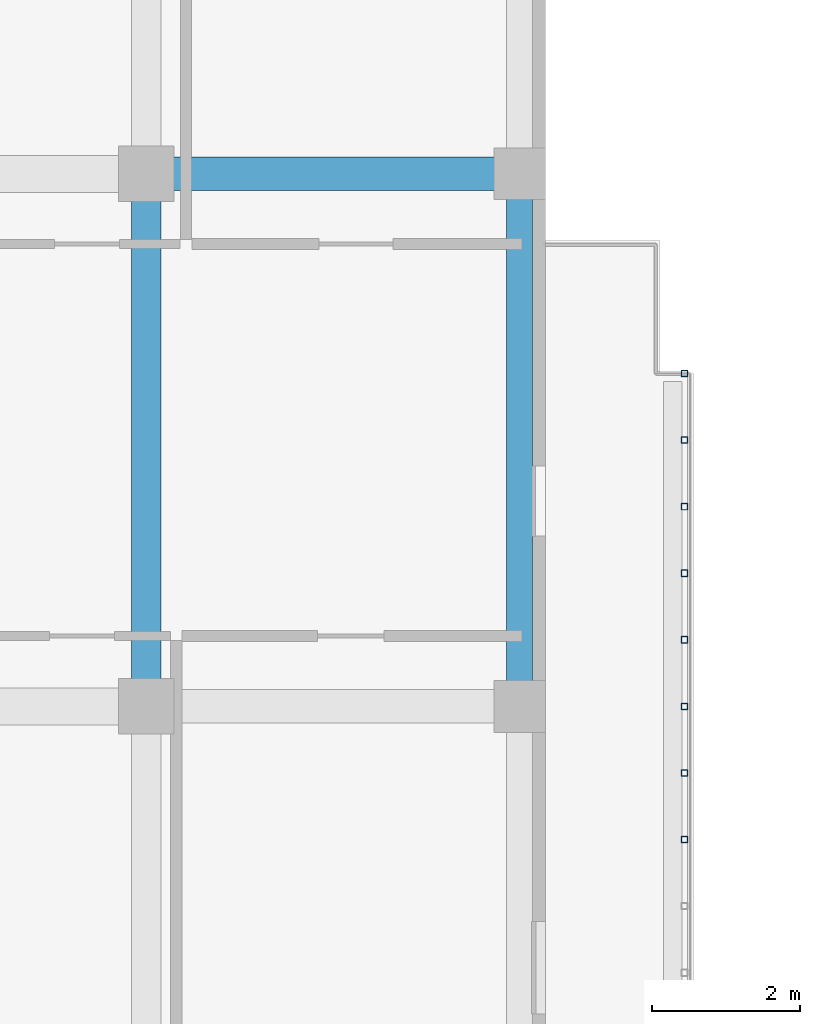
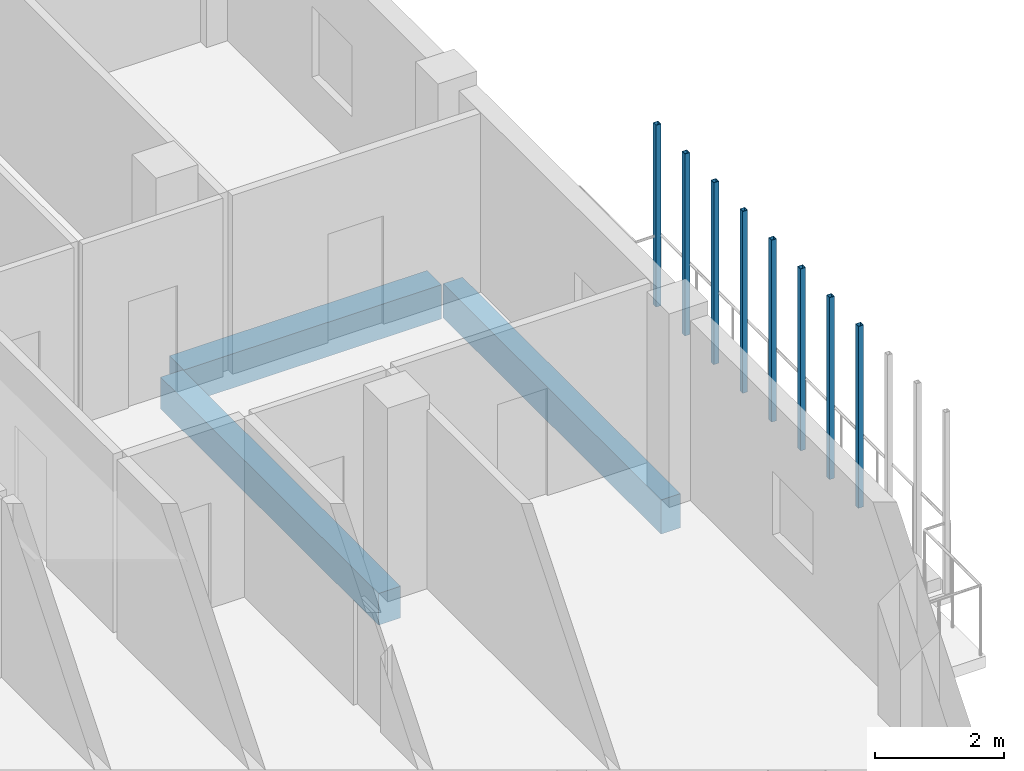
# One storey, part 16 of 73: 8 members, 3 beams.
"""IFC4 building model written with IfcOpenShell, lengths in metres."""

from ifc_helpers import new_model, si_unit, derived_unit, direction, frame, origin, origin_2d, place, context, subcontext, project, spatial, rectangle, hollow_rectangle, extrude, material, material_profile, profile_set, type_object, element, save


model = new_model("IFC4")

# Units and contexts
model_context = context("Model", 3, precision=1e-05, world=origin(), true_north=direction((0.0, 1.0)))
body_context = subcontext(model_context, "Body", "Model", "MODEL_VIEW")
ifc_project = project(units=[si_unit("LENGTHUNIT", "METRE"), si_unit("AREAUNIT", "SQUARE_METRE"), si_unit("VOLUMEUNIT", "CUBIC_METRE"), si_unit("PLANEANGLEUNIT", "RADIAN"), si_unit("MASSUNIT", "GRAM", prefix="KILO"), derived_unit("THERMALTRANSMITTANCEUNIT", [(si_unit("MASSUNIT", "GRAM", prefix="KILO"), 1), (si_unit("TIMEUNIT", "SECOND"), -3), (si_unit("THERMODYNAMICTEMPERATUREUNIT", "KELVIN"), -1)])], contexts=[model_context])

# Site, building, storey
site_placement = place(None, origin())
site = spatial("IfcSite", under=ifc_project, at=site_placement, CompositionType="ELEMENT")
building_placement = place(site_placement, origin())
building = spatial("IfcBuilding", under=site, at=building_placement, Name="Ochrekiln Boulevard Commons", CompositionType="ELEMENT")
storey_placement = place(building_placement, frame((0.0, 0.0, 4.89990234375)))
storey = spatial("IfcBuildingStorey", under=building, at=storey_placement, Name="L01", CompositionType="ELEMENT", Elevation=4.89990234375)

# Beams
ifc_material_1 = material(Name="Concrete C35/45", Category="concrete")
ifc_material_profile_1 = material_profile(ifc_material_1, rectangle(XDim=0.39990234375, YDim=0.60009765625, at=origin_2d()), Name="RC-BM-400x600")
ifc_profile_set_1 = profile_set([ifc_material_profile_1], Name="Concrete C35/45")
beam_type_1 = type_object("IfcBeamType", Name="BM-RC-400x600", PredefinedType="BEAM", material=ifc_profile_set_1)
beam_1_placement = place(storey_placement, frame((16.199951171875, 83.010009765625, -0.559814453125), z_axis=(0.0, 1.0, 0.0), x_axis=(-1.0, 0.0, 0.0)))
element("IfcBeam", 1, at=beam_1_placement, inside=storey, type_object=beam_type_1, Name="Block A L01 Beam B-4060 Y39", PredefinedType="BEAM", context=body_context, shape_type="SweptSolid", body=[
    extrude(rectangle(XDim=0.39990234375, YDim=0.60009765625, at=origin_2d()), origin(), (0.0, 0.0, 1.0), 6.780029296875),
])
ifc_material_profile_2 = material_profile(ifc_material_1, rectangle(XDim=0.449951171875, YDim=0.64990234375, at=origin_2d()), Name="RC-BM-450x650")
ifc_profile_set_2 = profile_set([ifc_material_profile_2], Name="Concrete C35/45")
beam_type_2 = type_object("IfcBeamType", Name="BM-RC-450x650", PredefinedType="BEAM", material=ifc_profile_set_2)
beam_2_placement = place(storey_placement, frame((16.409912109375, 90.0, -0.5849609375), z_axis=(1.0, 0.0, 0.0), x_axis=(0.0, 1.0, 0.0)))
element("IfcBeam", 2, at=beam_2_placement, inside=storey, type_object=beam_type_2, Name="Block A L01 Beam B-4565 X11", PredefinedType="BEAM", context=body_context, shape_type="SweptSolid", body=[
    extrude(rectangle(XDim=0.449951171875, YDim=0.64990234375, at=origin_2d()), origin(), (0.0, 0.0, 1.0), 4.630126953125),
])

# Members
ifc_material_2 = material(Name="Steel A500 Grade C", Category="steel")
ifc_material_profile_3 = material_profile(ifc_material_2, hollow_rectangle(XDim=0.090087890625, YDim=0.090087890625, WallThickness=0.00634765625, at=origin_2d()), Name="HSS90X90X6.4")
ifc_profile_set_3 = profile_set([ifc_material_profile_3], Name="Steel A500 Grade C")
member_type = type_object("IfcMemberType", Name="MEM-PST-HSS90", PredefinedType="POST", material=ifc_profile_set_3)
for number, where, z_axis, x_axis, name in (
    (3, (23.47998046875, 81.0, 0.0), (0.0, 0.0, 1.0), (1.0, 0.0, 0.0), "Block A L01 Slim Vertical Balcony Post (15)"),
    (4, (23.47998046875, 81.89990234375, 0.0), (0.0, 0.0, 1.0), (1.0, 0.0, 0.0), "Block A L01 Slim Vertical Balcony Post (16)"),
    (5, (23.47998046875, 82.800048828125, 0.0), (0.0, 0.0, 1.0), (1.0, 0.0, 0.0), "Block A L01 Slim Vertical Balcony Post (17)"),
    (6, (23.47998046875, 83.699951171875, 0.0), (0.0, 0.0, 1.0), (1.0, 0.0, 0.0), "Block A L01 Slim Vertical Balcony Post (18)"),
    (7, (23.47998046875, 84.60009765625, 0.0), (0.0, 0.0, 1.0), (1.0, 0.0, 0.0), "Block A L01 Slim Vertical Balcony Post (19)"),
    (8, (23.47998046875, 85.5, 0.0), (0.0, 0.0, 1.0), (1.0, 0.0, 0.0), "Block A L01 Slim Vertical Balcony Post (20)"),
    (9, (23.47998046875, 86.39990234375, 0.0), (0.0, 0.0, 1.0), (1.0, 0.0, 0.0), "Block A L01 Slim Vertical Balcony Post (21)"),
    (10, (23.47998046875, 87.300048828125, 0.0), (0.0, 0.0, 1.0), (1.0, 0.0, 0.0), "Block A L01 Slim Vertical Balcony Post (22)"),
):
    element("IfcMember", number, at=place(storey_placement, frame(where, z_axis=z_axis, x_axis=x_axis)), inside=storey, type_object=member_type, Name=name, PredefinedType="POST", context=body_context, shape_type="SweptSolid", body=[
        extrude(hollow_rectangle(XDim=0.090087890625, YDim=0.090087890625, WallThickness=0.00634765625, at=origin_2d()), origin(), (0.0, 0.0, 1.0), 3.455078125),
    ])

# Beam
ifc_material_3 = material(Name="Concrete C40/50", Category="concrete")
ifc_material_profile_4 = material_profile(ifc_material_3, rectangle(XDim=0.35009765625, YDim=0.64990234375, at=origin_2d()), Name="RC-SPN-350x650")
ifc_profile_set_4 = profile_set([ifc_material_profile_4], Name="Concrete C40/50")
beam_type_3 = type_object("IfcBeamType", Name="SPN-RC-350x650", PredefinedType="SPANDREL", material=ifc_profile_set_4)
beam_3_placement = place(storey_placement, frame((21.25, 83.010009765625, -0.5849609375), z_axis=(0.0, 1.0, 0.0), x_axis=(-1.0, 0.0, 0.0)))
element("IfcBeam", 11, at=beam_3_placement, inside=storey, type_object=beam_type_3, Name="Block A L01 Beam SP-3565 Y46", PredefinedType="SPANDREL", context=body_context, shape_type="SweptSolid", body=[
    extrude(rectangle(XDim=0.35009765625, YDim=0.64990234375, at=origin_2d()), origin(), (0.0, 0.0, 1.0), 6.780029296875),
])

save(model, "model.ifc")
